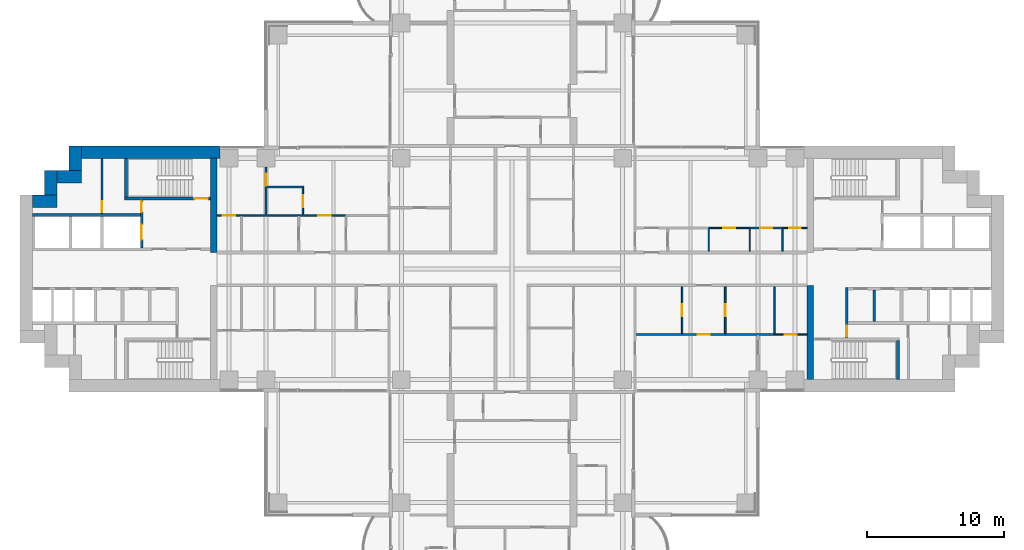
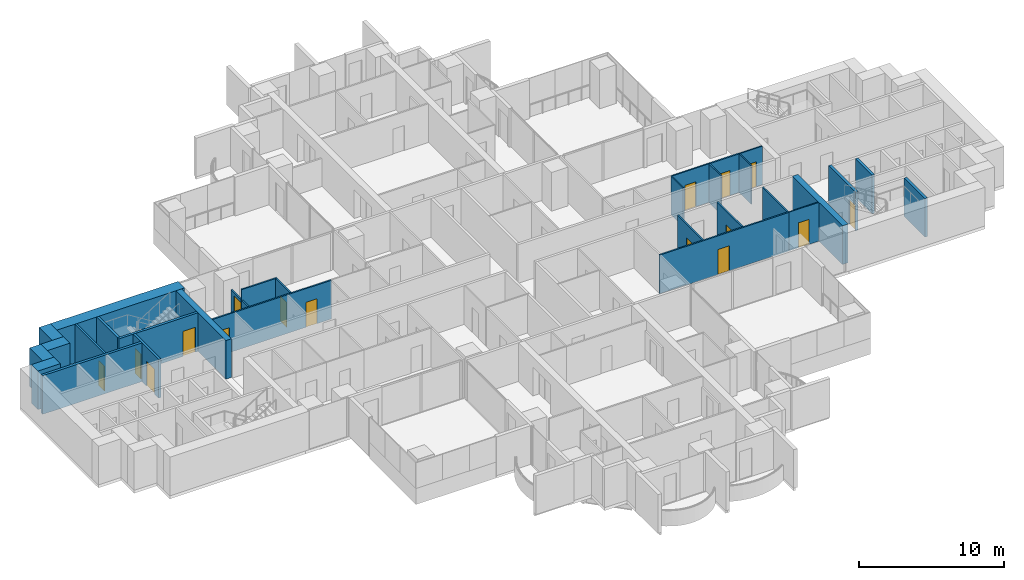
# One storey, part 13 of 21: 30 walls, 16 doors, 16 openings.
"""IFC4 building model written with IfcOpenShell, lengths in metres."""

from ifc_helpers import new_model, si_unit, direction, frame, frame_2d, origin, place, context, subcontext, project, spatial, rectangle, extrude, material, layer, layer_set, type_object, element, fill, save


model = new_model("IFC4")

# Units and contexts
model_context = context("Model", 3, precision=1e-05, world=origin(), true_north=direction((0.0, 1.0)))
body_context = subcontext(model_context, "Body", "Model", "MODEL_VIEW")
ifc_project = project(units=[si_unit("LENGTHUNIT", "METRE"), si_unit("AREAUNIT", "SQUARE_METRE"), si_unit("VOLUMEUNIT", "CUBIC_METRE"), si_unit("PLANEANGLEUNIT", "RADIAN"), si_unit("MASSUNIT", "GRAM", prefix="KILO")], contexts=[model_context])

# Site, building, storey
site_placement = place(None, origin())
site = spatial("IfcSite", under=ifc_project, at=site_placement, CompositionType="ELEMENT")
building_placement = place(site_placement, origin())
building = spatial("IfcBuilding", under=site, at=building_placement, Name="Perihelion Cross Residences", CompositionType="ELEMENT")
storey_placement = place(building_placement, frame((0.0, 0.0, 43.5)))
storey = spatial("IfcBuildingStorey", under=building, at=storey_placement, Name="L07", CompositionType="ELEMENT", Elevation=43.5)

# Walls
ifc_material_1 = material(Name="Concrete C60/75", Category="concrete")
ifc_layer_1 = layer(ifc_material_1, 0.449951171875)
ifc_layer_set_1 = layer_set([ifc_layer_1], Name="Core wall, inner 450")
wall_type_1 = type_object("IfcWallType", Name="Core wall, inner 450", PredefinedType="SHEAR", material=ifc_layer_set_1)
for number, where, z_axis, x_axis, name in (
    (1, (21.824951171875, -8.10009765625, 0.0), (0.0, 0.0, 1.0), (0.0, 1.0, 0.0), "East core core wall, inner"),
    (2, (-21.824951171875, 1.199951171875, 0.0), (0.0, 0.0, 1.0), (0.0, 1.0, 0.0), "West core core wall, inner"),
):
    element("IfcWall", number, at=place(storey_placement, frame(where, z_axis=z_axis, x_axis=x_axis)), inside=storey, type_object=wall_type_1, Name=name, PredefinedType="SHEAR", context=body_context, shape_type="SweptSolid", body=[
        extrude(rectangle(XDim=6.900146484375, YDim=0.449951171875, at=frame_2d((3.4501953125, 0.0))), origin(), (0.0, 0.0, 1.0), 3.25),
    ])
ifc_material_2 = material(Name="Concrete C60/75", Category="concrete")
ifc_layer_2 = layer(ifc_material_2, 0.89990234375)
ifc_layer_set_2 = layer_set([ifc_layer_2], Name="Core wall, outer 900")
wall_type_2 = type_object("IfcWallType", Name="Core wall, outer 900", PredefinedType="SHEAR", material=ifc_layer_set_2)
for number, where, z_axis, x_axis, name in (
    (3, (-35.10009765625, 4.949951171875, 0.0), (0.0, 0.0, 1.0), (1.0, 0.0, 0.0), "West core core wall, outer"),
    (4, (-33.75, 5.39990234375, 0.0), (0.0, 0.0, 1.0), (0.0, 1.0, 0.0), "West core core wall, outer"),
    (5, (-33.300048828125, 6.75, 0.0), (0.0, 0.0, 1.0), (1.0, 0.0, 0.0), "West core core wall, outer"),
    (6, (-31.949951171875, 7.199951171875, 0.0), (0.0, 0.0, 1.0), (0.0, 1.0, 0.0), "West core core wall, outer"),
):
    element("IfcWall", number, at=place(storey_placement, frame(where, z_axis=z_axis, x_axis=x_axis)), inside=storey, type_object=wall_type_2, Name=name, PredefinedType="SHEAR", context=body_context, shape_type="SweptSolid", body=[
        extrude(rectangle(XDim=1.800048828125, YDim=0.89990234375, at=frame_2d((0.89990234375, 0.0))), origin(), (0.0, 0.0, 1.0), 3.25),
    ])
wall_1_placement = place(storey_placement, frame((-31.5, 8.550048828125, 0.0), z_axis=(0.0, 0.0, 1.0), x_axis=(1.0, 0.0, 0.0)))
element("IfcWall", 7, at=wall_1_placement, inside=storey, type_object=wall_type_2, Name="West core core wall, outer", PredefinedType="SHEAR", context=body_context, shape_type="SweptSolid", body=[
    extrude(rectangle(XDim=10.14990234375, YDim=0.89990234375, at=frame_2d((5.074951171875, 0.0))), origin(), (0.0, 0.0, 1.0), 3.25),
])

# Wall, opening, door
ifc_material_3 = material(Name="Concrete C50/60", Category="concrete")
ifc_layer_3 = layer(ifc_material_3, 0.199951171875)
ifc_layer_set_3 = layer_set([ifc_layer_3], Name="Lobby wall 200")
wall_type_3 = type_object("IfcWallType", Name="Lobby wall 200", PredefinedType="SOLIDWALL", material=ifc_layer_set_3)
wall_2_placement = place(storey_placement, frame((24.5, -5.050048828125, 0.0), z_axis=(0.0, 0.0, 1.0), x_axis=(0.0, 1.0, 0.0)))
wall_2 = element("IfcWall", 8, at=wall_2_placement, inside=storey, type_object=wall_type_3, Name="East core lobby wall", PredefinedType="SOLIDWALL", context=body_context, shape_type="SweptSolid", body=[
    extrude(rectangle(XDim=3.699951171875, YDim=0.199951171875, at=frame_2d((1.85009765625, 0.0))), origin(), (0.0, 0.0, 1.0), 3.25),
])
opening_1_placement = place(wall_2_placement, frame((0.10009765625, 0.0, 0.0)))
opening_1 = element("IfcOpeningElement", 9, at=opening_1_placement, cuts=wall_2, Name="Opening L07.C08", PredefinedType="OPENING", context=body_context, shape_type="SweptSolid", body=[
    extrude(rectangle(XDim=0.800048828125, YDim=2.10009765625, at=frame_2d((0.39990234375, 1.050048828125))), frame((0.0, 0.10986328125, 0.0), z_axis=(0.0, -1.0, 0.0), x_axis=(1.0, 0.0, 0.0)), (0.0, 0.0, 1.0), 0.219970703125),
])
ifc_material_4 = material(Name="Steel, powder coated", Category="steel")
door_type_1 = type_object("IfcDoorType", Name="Riser door 800", OperationType="SINGLE_SWING_LEFT", PredefinedType="DOOR", material=ifc_material_4)
door_1_placement = place(opening_1_placement, origin())
door_1 = element("IfcDoor", 10, at=door_1_placement, inside=storey, type_object=door_type_1, Name="East core riser door", OperationType="SINGLE_SWING_LEFT", OverallHeight=2.10009765625, OverallWidth=0.800048828125, PredefinedType="DOOR", context=body_context, shape_type="SweptSolid", body=[
    extrude(rectangle(XDim=0.800048828125, YDim=2.10009765625, at=frame_2d((0.39990234375, 1.050048828125))), frame((0.0, 0.02490234375, 0.0), z_axis=(0.0, -1.0, 0.0), x_axis=(1.0, 0.0, 0.0)), (0.0, 0.0, 1.0), 0.050048828125),
])
fill(opening_1, door_1)

ifc_material_5 = material(Name="Plasterboard partition")
ifc_layer_4 = layer(ifc_material_5, 0.1201171875)
ifc_layer_set_4 = layer_set([ifc_layer_4], Name="Partition wall 120")
wall_type_4 = type_object("IfcWallType", Name="Partition wall 120", PredefinedType="PARTITIONING", material=ifc_layer_set_4)
wall_3_placement = place(storey_placement, frame((17.39990234375, 3.0, 0.0), z_axis=(0.0, 0.0, 1.0), x_axis=(1.0, 0.0, 0.0)))
wall_3 = element("IfcWall", 11, at=wall_3_placement, inside=storey, type_object=wall_type_4, Name="Partition L07 W018", PredefinedType="PARTITIONING", context=body_context, shape_type="SweptSolid", body=[
    extrude(rectangle(XDim=2.400146484375, YDim=0.1201171875, at=frame_2d((1.2001953125, 0.0))), origin(), (0.0, 0.0, 1.0), 3.25),
])
opening_2_placement = place(wall_3_placement, frame((0.75, 0.0, 0.0)))
opening_2 = element("IfcOpeningElement", 12, at=opening_2_placement, cuts=wall_3, Name="Opening L07.A08", PredefinedType="OPENING", context=body_context, shape_type="SweptSolid", body=[
    extrude(rectangle(XDim=0.89990234375, YDim=2.10009765625, at=frame_2d((0.449951171875, 1.050048828125))), frame((0.0, 0.070068359375, 0.0), z_axis=(0.0, -1.0, 0.0), x_axis=(1.0, 0.0, 0.0)), (0.0, 0.0, 1.0), 0.14013671875),
])
ifc_material_6 = material(Name="Timber door leaf", Category="wood")
door_type_2 = type_object("IfcDoorType", Name="Interior room door 900 x 2100", OperationType="SINGLE_SWING_LEFT", PredefinedType="DOOR", material=ifc_material_6)
door_2_placement = place(opening_2_placement, origin())
door_2 = element("IfcDoor", 13, at=door_2_placement, inside=storey, type_object=door_type_2, Name="Door L07.A08", OperationType="SINGLE_SWING_RIGHT", OverallHeight=2.10009765625, OverallWidth=0.89990234375, PredefinedType="DOOR", context=body_context, shape_type="SweptSolid", body=[
    extrude(rectangle(XDim=0.89990234375, YDim=2.10009765625, at=frame_2d((0.449951171875, 1.050048828125))), frame((0.0, 0.02490234375, 0.0), z_axis=(0.0, -1.0, 0.0), x_axis=(1.0, 0.0, 0.0)), (0.0, 0.0, 1.0), 0.050048828125),
])
fill(opening_2, door_2)

wall_4_placement = place(storey_placement, frame((12.449951171875, -1.300048828125, 0.0), z_axis=(0.0, 0.0, 1.0), x_axis=(0.0, -1.0, 0.0)))
wall_4 = element("IfcWall", 14, at=wall_4_placement, inside=storey, type_object=wall_type_4, Name="Partition L07 W023", PredefinedType="PARTITIONING", context=body_context, shape_type="SweptSolid", body=[
    extrude(rectangle(XDim=3.43994140625, YDim=0.1201171875, at=frame_2d((1.719970703125, 0.0))), origin(), (0.0, 0.0, 1.0), 3.25),
])
opening_3_placement = place(wall_4_placement, frame((1.27001953125, 0.0, 0.0)))
opening_3 = element("IfcOpeningElement", 15, at=opening_3_placement, cuts=wall_4, Name="Opening L07.A10", PredefinedType="OPENING", context=body_context, shape_type="SweptSolid", body=[
    extrude(rectangle(XDim=0.89990234375, YDim=2.10009765625, at=frame_2d((0.449951171875, 1.050048828125))), frame((0.0, 0.070068359375, 0.0), z_axis=(0.0, -1.0, 0.0), x_axis=(1.0, 0.0, 0.0)), (0.0, 0.0, 1.0), 0.14013671875),
])
door_3_placement = place(opening_3_placement, origin())
door_3 = element("IfcDoor", 16, at=door_3_placement, inside=storey, type_object=door_type_2, Name="Door L07.A10", OperationType="SINGLE_SWING_RIGHT", OverallHeight=2.10009765625, OverallWidth=0.89990234375, PredefinedType="DOOR", context=body_context, shape_type="SweptSolid", body=[
    extrude(rectangle(XDim=0.89990234375, YDim=2.10009765625, at=frame_2d((0.449951171875, 1.050048828125))), frame((0.0, 0.02490234375, 0.0), z_axis=(0.0, -1.0, 0.0), x_axis=(1.0, 0.0, 0.0)), (0.0, 0.0, 1.0), 0.050048828125),
])
fill(opening_3, door_3)

wall_5_placement = place(storey_placement, frame((19.199951171875, -4.800048828125, 0.0), z_axis=(0.0, 0.0, 1.0), x_axis=(-1.0, 0.0, 0.0)))
wall_5 = element("IfcWall", 17, at=wall_5_placement, inside=storey, type_object=wall_type_4, Name="Partition L07 W024", PredefinedType="PARTITIONING", context=body_context, shape_type="SweptSolid", body=[
    extrude(rectangle(XDim=10.260009765625, YDim=0.1201171875, at=frame_2d((5.1298828125, 0.0))), origin(), (0.0, 0.0, 1.0), 3.25),
])
opening_4_placement = place(wall_5_placement, frame((4.72509765625, 0.0, 0.0)))
opening_4 = element("IfcOpeningElement", 18, at=opening_4_placement, cuts=wall_5, Name="Opening L07.A12", PredefinedType="OPENING", context=body_context, shape_type="SweptSolid", body=[
    extrude(rectangle(XDim=0.89990234375, YDim=2.10009765625, at=frame_2d((0.449951171875, 1.050048828125))), frame((0.0, 0.070068359375, 0.0), z_axis=(0.0, -1.0, 0.0), x_axis=(1.0, 0.0, 0.0)), (0.0, 0.0, 1.0), 0.14013671875),
])
door_4_placement = place(opening_4_placement, origin())
door_4 = element("IfcDoor", 19, at=door_4_placement, inside=storey, type_object=door_type_2, Name="Door L07.A12", OperationType="SINGLE_SWING_RIGHT", OverallHeight=2.10009765625, OverallWidth=0.89990234375, PredefinedType="DOOR", context=body_context, shape_type="SweptSolid", body=[
    extrude(rectangle(XDim=0.89990234375, YDim=2.10009765625, at=frame_2d((0.449951171875, 1.050048828125))), frame((0.0, 0.02490234375, 0.0), z_axis=(0.0, -1.0, 0.0), x_axis=(1.0, 0.0, 0.0)), (0.0, 0.0, 1.0), 0.050048828125),
])
fill(opening_4, door_4)

wall_6_placement = place(storey_placement, frame((15.60009765625, -1.300048828125, 0.0), z_axis=(0.0, 0.0, 1.0), x_axis=(0.0, -1.0, 0.0)))
wall_6 = element("IfcWall", 20, at=wall_6_placement, inside=storey, type_object=wall_type_4, Name="Partition L07 W026", PredefinedType="PARTITIONING", context=body_context, shape_type="SweptSolid", body=[
    extrude(rectangle(XDim=3.43994140625, YDim=0.1201171875, at=frame_2d((1.719970703125, 0.0))), origin(), (0.0, 0.0, 1.0), 3.25),
])
opening_5_placement = place(wall_6_placement, frame((1.27001953125, 0.0, 0.0)))
opening_5 = element("IfcOpeningElement", 21, at=opening_5_placement, cuts=wall_6, Name="Opening L07.A11", PredefinedType="OPENING", context=body_context, shape_type="SweptSolid", body=[
    extrude(rectangle(XDim=0.89990234375, YDim=2.10009765625, at=frame_2d((0.449951171875, 1.050048828125))), frame((0.0, 0.070068359375, 0.0), z_axis=(0.0, -1.0, 0.0), x_axis=(1.0, 0.0, 0.0)), (0.0, 0.0, 1.0), 0.14013671875),
])
door_5_placement = place(opening_5_placement, origin())
door_5 = element("IfcDoor", 22, at=door_5_placement, inside=storey, type_object=door_type_2, Name="Door L07.A11", OperationType="SINGLE_SWING_LEFT", OverallHeight=2.10009765625, OverallWidth=0.89990234375, PredefinedType="DOOR", context=body_context, shape_type="SweptSolid", body=[
    extrude(rectangle(XDim=0.89990234375, YDim=2.10009765625, at=frame_2d((0.449951171875, 1.050048828125))), frame((0.0, 0.02490234375, 0.0), z_axis=(0.0, -1.0, 0.0), x_axis=(1.0, 0.0, 0.0)), (0.0, 0.0, 1.0), 0.050048828125),
])
fill(opening_5, door_5)

# Wall, openings, doors
wall_7_placement = place(storey_placement, frame((-21.60009765625, 3.89990234375, 0.0), z_axis=(0.0, 0.0, 1.0), x_axis=(1.0, 0.0, 0.0)))
wall_7 = element("IfcWall", 23, at=wall_7_placement, inside=storey, type_object=wall_type_4, Name="Partition L07 W037", PredefinedType="PARTITIONING", context=body_context, shape_type="SweptSolid", body=[
    extrude(rectangle(XDim=9.4501953125, YDim=0.1201171875, at=frame_2d((4.72509765625, 0.0))), origin(), (0.0, 0.0, 1.0), 3.25),
])
opening_6_placement = place(wall_7_placement, frame((7.425048828125, 0.0, 0.0)))
opening_6 = element("IfcOpeningElement", 24, at=opening_6_placement, cuts=wall_7, Name="Opening L07.A23", PredefinedType="OPENING", context=body_context, shape_type="SweptSolid", body=[
    extrude(rectangle(XDim=0.89990234375, YDim=2.10009765625, at=frame_2d((0.449951171875, 1.050048828125))), frame((0.0, 0.070068359375, 0.0), z_axis=(0.0, -1.0, 0.0), x_axis=(1.0, 0.0, 0.0)), (0.0, 0.0, 1.0), 0.14013671875),
])
opening_7_placement = place(wall_7_placement, frame((0.449951171875, 0.0, 0.0)))
opening_7 = element("IfcOpeningElement", 25, at=opening_7_placement, cuts=wall_7, Name="Opening L07.A24", PredefinedType="OPENING", context=body_context, shape_type="SweptSolid", body=[
    extrude(rectangle(XDim=0.89990234375, YDim=2.10009765625, at=frame_2d((0.449951171875, 1.050048828125))), frame((0.0, 0.070068359375, 0.0), z_axis=(0.0, -1.0, 0.0), x_axis=(1.0, 0.0, 0.0)), (0.0, 0.0, 1.0), 0.14013671875),
])
door_6_placement = place(opening_6_placement, origin())
door_6 = element("IfcDoor", 26, at=door_6_placement, inside=storey, type_object=door_type_2, Name="Door L07.A23", OperationType="SINGLE_SWING_RIGHT", OverallHeight=2.10009765625, OverallWidth=0.89990234375, PredefinedType="DOOR", context=body_context, shape_type="SweptSolid", body=[
    extrude(rectangle(XDim=0.89990234375, YDim=2.10009765625, at=frame_2d((0.449951171875, 1.050048828125))), frame((0.0, 0.02490234375, 0.0), z_axis=(0.0, -1.0, 0.0), x_axis=(1.0, 0.0, 0.0)), (0.0, 0.0, 1.0), 0.050048828125),
])
fill(opening_6, door_6)
door_7_placement = place(opening_7_placement, origin())
door_7 = element("IfcDoor", 27, at=door_7_placement, inside=storey, type_object=door_type_2, Name="Door L07.A24", OperationType="SINGLE_SWING_LEFT", OverallHeight=2.10009765625, OverallWidth=0.89990234375, PredefinedType="DOOR", context=body_context, shape_type="SweptSolid", body=[
    extrude(rectangle(XDim=0.89990234375, YDim=2.10009765625, at=frame_2d((0.449951171875, 1.050048828125))), frame((0.0, 0.02490234375, 0.0), z_axis=(0.0, -1.0, 0.0), x_axis=(1.0, 0.0, 0.0)), (0.0, 0.0, 1.0), 0.050048828125),
])
fill(opening_7, door_7)

# Wall, opening, door
wall_8_placement = place(storey_placement, frame((-15.300048828125, 3.9599609375, 0.0), z_axis=(0.0, 0.0, 1.0), x_axis=(0.0, 1.0, 0.0)))
wall_8 = element("IfcWall", 28, at=wall_8_placement, inside=storey, type_object=wall_type_4, Name="Partition L07 W039", PredefinedType="PARTITIONING", context=body_context, shape_type="SweptSolid", body=[
    extrude(rectangle(XDim=1.97998046875, YDim=0.1201171875, at=frame_2d((0.989990234375, 0.0))), origin(), (0.0, 0.0, 1.0), 3.25),
])
opening_8_placement = place(wall_8_placement, frame((0.5400390625, 0.0, 0.0)))
opening_8 = element("IfcOpeningElement", 29, at=opening_8_placement, cuts=wall_8, Name="Opening L07.A25", PredefinedType="OPENING", context=body_context, shape_type="SweptSolid", body=[
    extrude(rectangle(XDim=0.89990234375, YDim=2.10009765625, at=frame_2d((0.449951171875, 1.050048828125))), frame((0.0, 0.070068359375, 0.0), z_axis=(0.0, -1.0, 0.0), x_axis=(1.0, 0.0, 0.0)), (0.0, 0.0, 1.0), 0.14013671875),
])
door_8_placement = place(opening_8_placement, origin())
door_8 = element("IfcDoor", 30, at=door_8_placement, inside=storey, type_object=door_type_2, Name="Door L07.A25", OperationType="SINGLE_SWING_LEFT", OverallHeight=2.10009765625, OverallWidth=0.89990234375, PredefinedType="DOOR", context=body_context, shape_type="SweptSolid", body=[
    extrude(rectangle(XDim=0.89990234375, YDim=2.10009765625, at=frame_2d((0.449951171875, 1.050048828125))), frame((0.0, 0.02490234375, 0.0), z_axis=(0.0, -1.0, 0.0), x_axis=(1.0, 0.0, 0.0)), (0.0, 0.0, 1.0), 0.050048828125),
])
fill(opening_8, door_8)

# Wall
wall_9_placement = place(storey_placement, frame((-15.239990234375, 6.0, 0.0), z_axis=(0.0, 0.0, 1.0), x_axis=(-1.0, 0.0, 0.0)))
element("IfcWall", 31, at=wall_9_placement, inside=storey, type_object=wall_type_4, Name="Partition L07 W040", PredefinedType="PARTITIONING", context=body_context, shape_type="SweptSolid", body=[
    extrude(rectangle(XDim=2.820068359375, YDim=0.1201171875, at=frame_2d((1.41015625, 0.0))), origin(), (0.0, 0.0, 1.0), 3.25),
])

# Wall, opening, door
wall_10_placement = place(storey_placement, frame((-18.0, 3.9599609375, 0.0), z_axis=(0.0, 0.0, 1.0), x_axis=(0.0, 1.0, 0.0)))
wall_10 = element("IfcWall", 32, at=wall_10_placement, inside=storey, type_object=wall_type_4, Name="Partition L07 W041", PredefinedType="PARTITIONING", context=body_context, shape_type="SweptSolid", body=[
    extrude(rectangle(XDim=3.489990234375, YDim=0.1201171875, at=frame_2d((1.7451171875, 0.0))), origin(), (0.0, 0.0, 1.0), 2.345947265625),
])
opening_9_placement = place(wall_10_placement, frame((2.110107421875, 0.0, 0.0)))
opening_9 = element("IfcOpeningElement", 33, at=opening_9_placement, cuts=wall_10, Name="Opening L07.A17", PredefinedType="OPENING", context=body_context, shape_type="SweptSolid", body=[
    extrude(rectangle(XDim=0.89990234375, YDim=2.10009765625, at=frame_2d((0.449951171875, 1.050048828125))), frame((0.0, 0.070068359375, 0.0), z_axis=(0.0, -1.0, 0.0), x_axis=(1.0, 0.0, 0.0)), (0.0, 0.0, 1.0), 0.14013671875),
])
door_9_placement = place(opening_9_placement, origin())
door_9 = element("IfcDoor", 34, at=door_9_placement, inside=storey, type_object=door_type_2, Name="Door L07.A17", OperationType="SINGLE_SWING_LEFT", OverallHeight=2.10009765625, OverallWidth=0.89990234375, PredefinedType="DOOR", context=body_context, shape_type="SweptSolid", body=[
    extrude(rectangle(XDim=0.89990234375, YDim=2.10009765625, at=frame_2d((0.449951171875, 1.050048828125))), frame((0.0, 0.02490234375, 0.0), z_axis=(0.0, -1.0, 0.0), x_axis=(1.0, 0.0, 0.0)), (0.0, 0.0, 1.0), 0.050048828125),
])
fill(opening_9, door_9)

ifc_material_7 = material(Name="Fire-rated board on steel stud", Category="steel")
ifc_layer_5 = layer(ifc_material_7, 0.14990234375)
ifc_layer_set_5 = layer_set([ifc_layer_5], Name="Riser wall 150")
wall_type_5 = type_object("IfcWallType", Name="Riser wall 150", PredefinedType="PARTITIONING", material=ifc_layer_set_5)
wall_11_placement = place(storey_placement, frame((-30.0, 4.050048828125, 0.0), z_axis=(0.0, 0.0, 1.0), x_axis=(0.0, 1.0, 0.0)))
wall_11 = element("IfcWall", 35, at=wall_11_placement, inside=storey, type_object=wall_type_5, Name="West core riser wall", PredefinedType="PARTITIONING", context=body_context, shape_type="SweptSolid", body=[
    extrude(rectangle(XDim=4.050048828125, YDim=0.14990234375, at=frame_2d((2.02490234375, 0.0))), origin(), (0.0, 0.0, 1.0), 3.25),
])
opening_10_placement = place(wall_11_placement, frame((0.10009765625, 0.0, 0.0)))
opening_10 = element("IfcOpeningElement", 36, at=opening_10_placement, cuts=wall_11, Name="Opening L07.C31", PredefinedType="OPENING", context=body_context, shape_type="SweptSolid", body=[
    extrude(rectangle(XDim=0.800048828125, YDim=2.10009765625, at=frame_2d((0.39990234375, 1.050048828125))), frame((0.0, 0.0849609375, 0.0), z_axis=(0.0, -1.0, 0.0), x_axis=(1.0, 0.0, 0.0)), (0.0, 0.0, 1.0), 0.169921875),
])
door_10_placement = place(opening_10_placement, origin())
door_10 = element("IfcDoor", 37, at=door_10_placement, inside=storey, type_object=door_type_1, Name="West core riser door", OperationType="SINGLE_SWING_LEFT", OverallHeight=2.10009765625, OverallWidth=0.800048828125, PredefinedType="DOOR", context=body_context, shape_type="SweptSolid", body=[
    extrude(rectangle(XDim=0.800048828125, YDim=2.10009765625, at=frame_2d((0.39990234375, 1.050048828125))), frame((0.0, 0.02490234375, 0.0), z_axis=(0.0, -1.0, 0.0), x_axis=(1.0, 0.0, 0.0)), (0.0, 0.0, 1.0), 0.050048828125),
])
fill(opening_10, door_10)

# Walls
ifc_material_8 = material(Name="Fire-rated board on steel stud", Category="steel")
ifc_layer_6 = layer(ifc_material_8, 0.199951171875)
ifc_layer_set_6 = layer_set([ifc_layer_6], Name="Riser wall 200")
wall_type_6 = type_object("IfcWallType", Name="Riser wall 200", PredefinedType="PARTITIONING", material=ifc_layer_set_6)
wall_12_placement = place(storey_placement, frame((26.5, -3.85009765625, 0.0), z_axis=(0.0, 0.0, 1.0), x_axis=(0.0, 1.0, 0.0)))
element("IfcWall", 38, at=wall_12_placement, inside=storey, type_object=wall_type_6, Name="East core riser wall", PredefinedType="PARTITIONING", context=body_context, shape_type="SweptSolid", body=[
    extrude(rectangle(XDim=2.300048828125, YDim=0.199951171875, at=frame_2d((1.14990234375, 0.0))), origin(), (0.0, 0.0, 1.0), 3.25),
])
ifc_material_9 = material(Name="Concrete C50/60", Category="concrete")
ifc_layer_7 = layer(ifc_material_9, 0.199951171875)
ifc_layer_set_7 = layer_set([ifc_layer_7], Name="Shaft wall 200")
wall_type_7 = type_object("IfcWallType", Name="Shaft wall 200", PredefinedType="SOLIDWALL", material=ifc_layer_set_7)
wall_13_placement = place(storey_placement, frame((-35.10009765625, 3.949951171875, 0.0), z_axis=(0.0, 0.0, 1.0), x_axis=(1.0, 0.0, 0.0)))
element("IfcWall", 39, at=wall_13_placement, inside=storey, type_object=wall_type_7, Name="West core shaft wall", PredefinedType="SOLIDWALL", context=body_context, shape_type="SweptSolid", body=[
    extrude(rectangle(XDim=7.900146484375, YDim=0.199951171875, at=frame_2d((3.9501953125, 0.0))), origin(), (0.0, 0.0, 1.0), 3.25),
])

# Wall, openings, doors
wall_14_placement = place(storey_placement, frame((-27.10009765625, 1.550048828125, 0.0), z_axis=(0.0, 0.0, 1.0), x_axis=(0.0, 1.0, 0.0)))
wall_14 = element("IfcWall", 40, at=wall_14_placement, inside=storey, type_object=wall_type_7, Name="West core shaft wall", PredefinedType="SOLIDWALL", context=body_context, shape_type="SweptSolid", body=[
    extrude(rectangle(XDim=3.5, YDim=0.199951171875, at=frame_2d((1.75, 0.0))), origin(), (0.0, 0.0, 1.0), 3.25),
])
opening_11_placement = place(wall_14_placement, frame((0.60009765625, 0.0, 0.0)))
opening_11 = element("IfcOpeningElement", 41, at=opening_11_placement, cuts=wall_14, Name="Opening L07.C17", PredefinedType="OPENING", context=body_context, shape_type="SweptSolid", body=[
    extrude(rectangle(XDim=1.10009765625, YDim=2.10009765625, at=frame_2d((0.550048828125, 1.050048828125))), frame((0.0, 0.10986328125, 0.0), z_axis=(0.0, -1.0, 0.0), x_axis=(1.0, 0.0, 0.0)), (0.0, 0.0, 1.0), 0.219970703125),
])
opening_12_placement = place(wall_14_placement, frame((2.60009765625, 0.0, 0.0)))
opening_12 = element("IfcOpeningElement", 42, at=opening_12_placement, cuts=wall_14, Name="Opening L07.C27", PredefinedType="OPENING", context=body_context, shape_type="SweptSolid", body=[
    extrude(rectangle(XDim=0.800048828125, YDim=2.10009765625, at=frame_2d((0.39990234375, 1.050048828125))), frame((0.0, 0.10986328125, 0.0), z_axis=(0.0, -1.0, 0.0), x_axis=(1.0, 0.0, 0.0)), (0.0, 0.0, 1.0), 0.219970703125),
])
ifc_material_10 = material(Name="Stainless steel", Category="steel")
door_type_3 = type_object("IfcDoorType", Name="Landing door, firefighting lift 1100", OperationType="DOUBLE_DOOR_SLIDING", PredefinedType="DOOR", material=ifc_material_10)
door_11_placement = place(opening_11_placement, origin())
door_11 = element("IfcDoor", 43, at=door_11_placement, inside=storey, type_object=door_type_3, Name="Landing door, West core firefighting and service lift", OperationType="DOUBLE_DOOR_SLIDING", OverallHeight=2.10009765625, OverallWidth=1.10009765625, PredefinedType="DOOR", context=body_context, shape_type="SweptSolid", body=[
    extrude(rectangle(XDim=1.10009765625, YDim=2.10009765625, at=frame_2d((0.550048828125, 1.050048828125))), frame((0.0, 0.02490234375, 0.0), z_axis=(0.0, -1.0, 0.0), x_axis=(1.0, 0.0, 0.0)), (0.0, 0.0, 1.0), 0.050048828125),
])
fill(opening_11, door_11)
door_12_placement = place(opening_12_placement, origin())
door_12 = element("IfcDoor", 44, at=door_12_placement, inside=storey, type_object=door_type_1, Name="West core riser door", OperationType="SINGLE_SWING_LEFT", OverallHeight=2.10009765625, OverallWidth=0.800048828125, PredefinedType="DOOR", context=body_context, shape_type="SweptSolid", body=[
    extrude(rectangle(XDim=0.800048828125, YDim=2.10009765625, at=frame_2d((0.39990234375, 1.050048828125))), frame((0.0, 0.02490234375, 0.0), z_axis=(0.0, -1.0, 0.0), x_axis=(1.0, 0.0, 0.0)), (0.0, 0.0, 1.0), 0.050048828125),
])
fill(opening_12, door_12)

# Wall
ifc_material_11 = material(Name="Concrete C50/60", Category="concrete")
ifc_layer_8 = layer(ifc_material_11, 0.199951171875)
ifc_layer_set_8 = layer_set([ifc_layer_8], Name="Stair wall 200")
wall_type_8 = type_object("IfcWallType", Name="Stair wall 200", PredefinedType="SOLIDWALL", material=ifc_layer_set_8)
wall_15_placement = place(storey_placement, frame((28.25, -8.10009765625, 0.0), z_axis=(0.0, 0.0, 1.0), x_axis=(0.0, 1.0, 0.0)))
element("IfcWall", 45, at=wall_15_placement, inside=storey, type_object=wall_type_8, Name="East core stair wall", PredefinedType="SOLIDWALL", context=body_context, shape_type="SweptSolid", body=[
    extrude(rectangle(XDim=2.85009765625, YDim=0.199951171875, at=frame_2d((1.425048828125, 0.0))), origin(), (0.0, 0.0, 1.0), 3.25),
])

# Wall, opening, door
wall_16_placement = place(storey_placement, frame((-28.35009765625, 5.14990234375, 0.0), z_axis=(0.0, 0.0, 1.0), x_axis=(1.0, 0.0, 0.0)))
wall_16 = element("IfcWall", 46, at=wall_16_placement, inside=storey, type_object=wall_type_8, Name="West core stair wall", PredefinedType="SOLIDWALL", context=body_context, shape_type="SweptSolid", body=[
    extrude(rectangle(XDim=6.300048828125, YDim=0.199951171875, at=frame_2d((3.14990234375, 0.0))), origin(), (0.0, 0.0, 1.0), 3.25),
])
opening_13_placement = place(wall_16_placement, frame((5.10009765625, 0.0, 0.0)))
opening_13 = element("IfcOpeningElement", 47, at=opening_13_placement, cuts=wall_16, Name="Opening L07.C22", PredefinedType="OPENING", context=body_context, shape_type="SweptSolid", body=[
    extrude(rectangle(XDim=1.0, YDim=2.10009765625, at=frame_2d((0.5, 1.050048828125))), frame((0.0, 0.10986328125, 0.0), z_axis=(0.0, -1.0, 0.0), x_axis=(1.0, 0.0, 0.0)), (0.0, 0.0, 1.0), 0.219970703125),
])
ifc_material_12 = material(Name="Steel, powder coated", Category="steel")
door_type_4 = type_object("IfcDoorType", Name="Stair door 1000", OperationType="SINGLE_SWING_LEFT", PredefinedType="DOOR", material=ifc_material_12)
door_13_placement = place(opening_13_placement, origin())
door_13 = element("IfcDoor", 48, at=door_13_placement, inside=storey, type_object=door_type_4, Name="West core stair door", OperationType="SINGLE_SWING_LEFT", OverallHeight=2.10009765625, OverallWidth=1.0, PredefinedType="DOOR", context=body_context, shape_type="SweptSolid", body=[
    extrude(rectangle(XDim=1.0, YDim=2.10009765625, at=frame_2d((0.5, 1.050048828125))), frame((0.0, 0.02490234375, 0.0), z_axis=(0.0, -1.0, 0.0), x_axis=(1.0, 0.0, 0.0)), (0.0, 0.0, 1.0), 0.050048828125),
])
fill(opening_13, door_13)

# Walls
wall_17_placement = place(storey_placement, frame((-28.25, 5.25, 0.0), z_axis=(0.0, 0.0, 1.0), x_axis=(0.0, 1.0, 0.0)))
element("IfcWall", 49, at=wall_17_placement, inside=storey, type_object=wall_type_8, Name="West core stair wall", PredefinedType="SOLIDWALL", context=body_context, shape_type="SweptSolid", body=[
    extrude(rectangle(XDim=2.85009765625, YDim=0.199951171875, at=frame_2d((1.425048828125, 0.0))), origin(), (0.0, 0.0, 1.0), 3.25),
])
ifc_material_13 = material(Name="Plasterboard partition")
ifc_layer_9 = layer(ifc_material_13, 0.10009765625)
ifc_layer_set_9 = layer_set([ifc_layer_9], Name="Wet room wall 100")
wall_type_9 = type_object("IfcWallType", Name="Wet room wall 100", PredefinedType="PARTITIONING", material=ifc_layer_set_9)
for number, where, z_axis, x_axis, name in (
    (50, (14.39990234375, 2.93994140625, 0.0), (0.0, 0.0, 1.0), (0.0, -1.0, 0.0), "Partition L07 W014"),
    (51, (17.39990234375, 2.93994140625, 0.0), (0.0, 0.0, 1.0), (0.0, -1.0, 0.0), "Partition L07 W015"),
):
    element("IfcWall", number, at=place(storey_placement, frame(where, z_axis=z_axis, x_axis=x_axis)), inside=storey, type_object=wall_type_9, Name=name, PredefinedType="PARTITIONING", context=body_context, shape_type="SweptSolid", body=[
        extrude(rectangle(XDim=1.639892578125, YDim=0.10009765625, at=frame_2d((0.81982421875, 0.0))), origin(), (0.0, 0.0, 1.0), 3.25),
    ])

# Wall, opening, door
wall_18_placement = place(storey_placement, frame((14.39990234375, 3.0, 0.0), z_axis=(0.0, 0.0, 1.0), x_axis=(1.0, 0.0, 0.0)))
wall_18 = element("IfcWall", 52, at=wall_18_placement, inside=storey, type_object=wall_type_9, Name="Partition L07 W016", PredefinedType="PARTITIONING", context=body_context, shape_type="SweptSolid", body=[
    extrude(rectangle(XDim=3.0, YDim=0.10009765625, at=frame_2d((1.5, 0.0))), origin(), (0.0, 0.0, 1.0), 3.25),
])
opening_14_placement = place(wall_18_placement, frame((1.074951171875, 0.0, 0.0)))
opening_14 = element("IfcOpeningElement", 53, at=opening_14_placement, cuts=wall_18, Name="Opening L07.A01", PredefinedType="OPENING", context=body_context, shape_type="SweptSolid", body=[
    extrude(rectangle(XDim=0.85009765625, YDim=2.10009765625, at=frame_2d((0.425048828125, 1.050048828125))), frame((0.0, 0.06005859375, 0.0), z_axis=(0.0, -1.0, 0.0), x_axis=(1.0, 0.0, 0.0)), (0.0, 0.0, 1.0), 0.1201171875),
])
ifc_material_14 = material(Name="Timber door leaf", Category="wood")
door_type_5 = type_object("IfcDoorType", Name="Interior bathroom door 850 x 2100", OperationType="SINGLE_SWING_LEFT", PredefinedType="DOOR", material=ifc_material_14)
door_14_placement = place(opening_14_placement, origin())
door_14 = element("IfcDoor", 54, at=door_14_placement, inside=storey, type_object=door_type_5, Name="Door L07.A01", OperationType="SINGLE_SWING_LEFT", OverallHeight=2.10009765625, OverallWidth=0.85009765625, PredefinedType="DOOR", context=body_context, shape_type="SweptSolid", body=[
    extrude(rectangle(XDim=0.85009765625, YDim=2.10009765625, at=frame_2d((0.425048828125, 1.050048828125))), frame((0.0, 0.02490234375, 0.0), z_axis=(0.0, -1.0, 0.0), x_axis=(1.0, 0.0, 0.0)), (0.0, 0.0, 1.0), 0.050048828125),
])
fill(opening_14, door_14)

# Wall
wall_19_placement = place(storey_placement, frame((19.800048828125, 2.93994140625, 0.0), z_axis=(0.0, 0.0, 1.0), x_axis=(0.0, -1.0, 0.0)))
element("IfcWall", 55, at=wall_19_placement, inside=storey, type_object=wall_type_9, Name="Partition L07 W017", PredefinedType="PARTITIONING", context=body_context, shape_type="SweptSolid", body=[
    extrude(rectangle(XDim=1.639892578125, YDim=0.10009765625, at=frame_2d((0.81982421875, 0.0))), origin(), (0.0, 0.0, 1.0), 3.25),
])

# Wall, opening, door
wall_20_placement = place(storey_placement, frame((19.800048828125, 3.0, 0.0), z_axis=(0.0, 0.0, 1.0), x_axis=(1.0, 0.0, 0.0)))
wall_20 = element("IfcWall", 56, at=wall_20_placement, inside=storey, type_object=wall_type_9, Name="Partition L07 W019", PredefinedType="PARTITIONING", context=body_context, shape_type="SweptSolid", body=[
    extrude(rectangle(XDim=1.800048828125, YDim=0.10009765625, at=frame_2d((0.89990234375, 0.0))), origin(), (0.0, 0.0, 1.0), 3.25),
])
opening_15_placement = place(wall_20_placement, frame((0.47509765625, 0.0, 0.0)))
opening_15 = element("IfcOpeningElement", 57, at=opening_15_placement, cuts=wall_20, Name="Opening L07.A06", PredefinedType="OPENING", context=body_context, shape_type="SweptSolid", body=[
    extrude(rectangle(XDim=0.85009765625, YDim=2.10009765625, at=frame_2d((0.425048828125, 1.050048828125))), frame((0.0, 0.06005859375, 0.0), z_axis=(0.0, -1.0, 0.0), x_axis=(1.0, 0.0, 0.0)), (0.0, 0.0, 1.0), 0.1201171875),
])
door_15_placement = place(opening_15_placement, origin())
door_15 = element("IfcDoor", 58, at=door_15_placement, inside=storey, type_object=door_type_5, Name="Door L07.A06", OperationType="SINGLE_SWING_LEFT", OverallHeight=2.10009765625, OverallWidth=0.85009765625, PredefinedType="DOOR", context=body_context, shape_type="SweptSolid", body=[
    extrude(rectangle(XDim=0.85009765625, YDim=2.10009765625, at=frame_2d((0.425048828125, 1.050048828125))), frame((0.0, 0.02490234375, 0.0), z_axis=(0.0, -1.0, 0.0), x_axis=(1.0, 0.0, 0.0)), (0.0, 0.0, 1.0), 0.050048828125),
])
fill(opening_15, door_15)

# Wall
wall_21_placement = place(storey_placement, frame((19.199951171875, -1.300048828125, 0.0), z_axis=(0.0, 0.0, 1.0), x_axis=(0.0, -1.0, 0.0)))
element("IfcWall", 59, at=wall_21_placement, inside=storey, type_object=wall_type_9, Name="Partition L07 W027", PredefinedType="PARTITIONING", context=body_context, shape_type="SweptSolid", body=[
    extrude(rectangle(XDim=3.43994140625, YDim=0.10009765625, at=frame_2d((1.719970703125, 0.0))), origin(), (0.0, 0.0, 1.0), 3.25),
])

# Wall, opening, door
wall_22_placement = place(storey_placement, frame((21.60009765625, -4.800048828125, 0.0), z_axis=(0.0, 0.0, 1.0), x_axis=(-1.0, 0.0, 0.0)))
wall_22 = element("IfcWall", 60, at=wall_22_placement, inside=storey, type_object=wall_type_9, Name="Partition L07 W028", PredefinedType="PARTITIONING", context=body_context, shape_type="SweptSolid", body=[
    extrude(rectangle(XDim=2.400146484375, YDim=0.10009765625, at=frame_2d((1.2001953125, 0.0))), origin(), (0.0, 0.0, 1.0), 3.25),
])
opening_16_placement = place(wall_22_placement, frame((0.77490234375, 0.0, 0.0)))
opening_16 = element("IfcOpeningElement", 61, at=opening_16_placement, cuts=wall_22, Name="Opening L07.A16", PredefinedType="OPENING", context=body_context, shape_type="SweptSolid", body=[
    extrude(rectangle(XDim=0.85009765625, YDim=2.10009765625, at=frame_2d((0.425048828125, 1.050048828125))), frame((0.0, 0.06005859375, 0.0), z_axis=(0.0, -1.0, 0.0), x_axis=(1.0, 0.0, 0.0)), (0.0, 0.0, 1.0), 0.1201171875),
])
door_16_placement = place(opening_16_placement, origin())
door_16 = element("IfcDoor", 62, at=door_16_placement, inside=storey, type_object=door_type_5, Name="Door L07.A16", OperationType="SINGLE_SWING_LEFT", OverallHeight=2.10009765625, OverallWidth=0.85009765625, PredefinedType="DOOR", context=body_context, shape_type="SweptSolid", body=[
    extrude(rectangle(XDim=0.85009765625, YDim=2.10009765625, at=frame_2d((0.425048828125, 1.050048828125))), frame((0.0, 0.02490234375, 0.0), z_axis=(0.0, -1.0, 0.0), x_axis=(1.0, 0.0, 0.0)), (0.0, 0.0, 1.0), 0.050048828125),
])
fill(opening_16, door_16)

save(model, "model.ifc")
